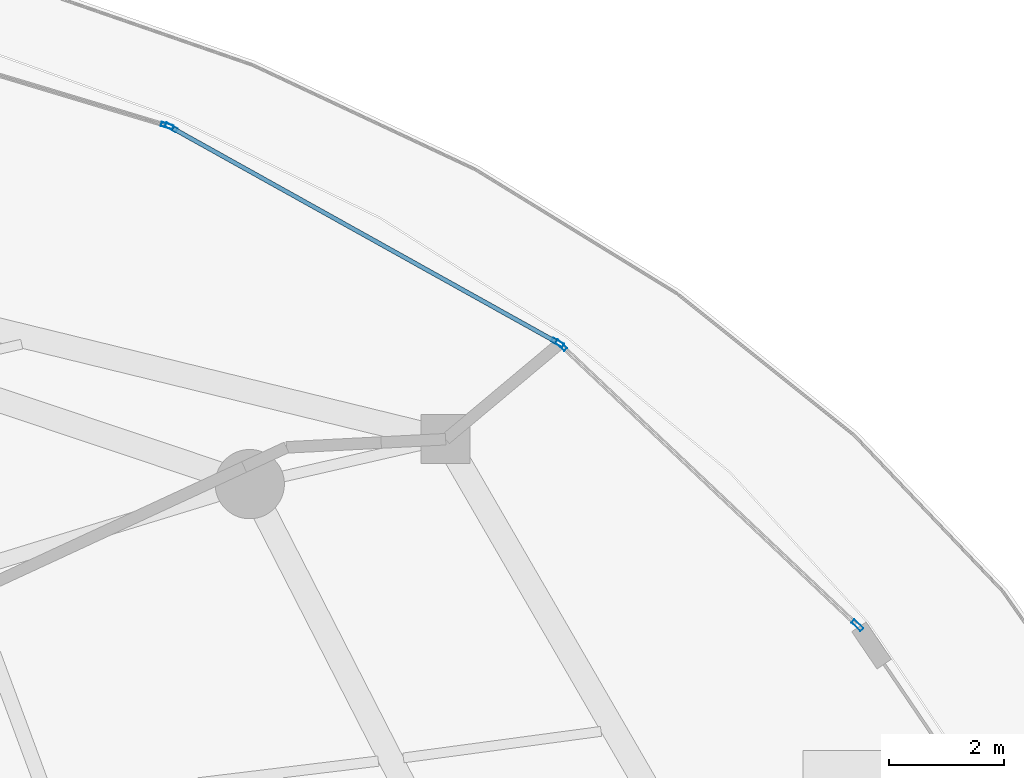
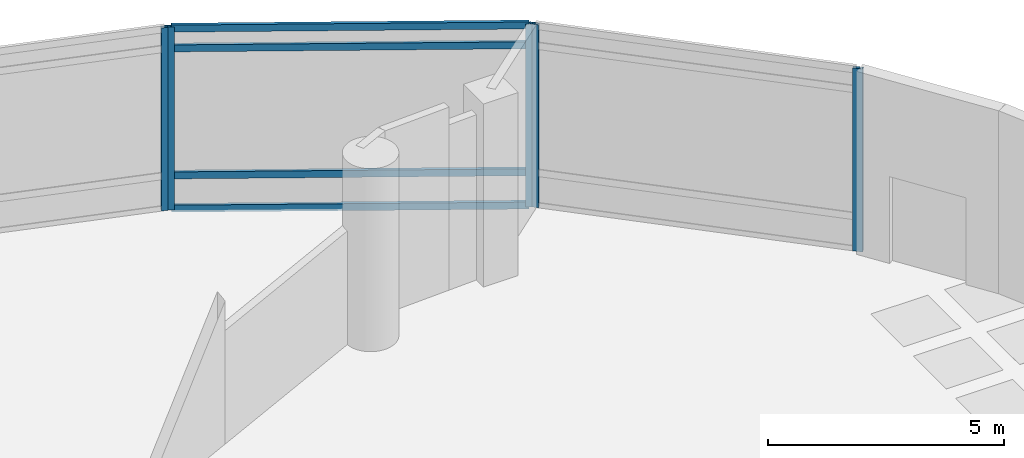
# One storey, part 21 of 34: 9 members, 3 elements without a shape of their own.
"""IFC4 building model written with IfcOpenShell, lengths in metres."""

from ifc_helpers import new_model, si_unit, direction, frame, origin, origin_2d, place, context, subcontext, project, spatial, hollow_rectangle, extrude, material, layer, layer_set, material_profile, profile_set, type_object, element, aggregate, save


model = new_model("IFC4")

# Units and contexts
model_context = context("Model", 3, precision=1e-05, world=origin(), true_north=direction((0.0, 1.0)))
body_context = subcontext(model_context, "Body", "Model", "MODEL_VIEW")
ifc_project = project(units=[si_unit("LENGTHUNIT", "METRE"), si_unit("AREAUNIT", "SQUARE_METRE"), si_unit("VOLUMEUNIT", "CUBIC_METRE"), si_unit("PLANEANGLEUNIT", "RADIAN"), si_unit("MASSUNIT", "GRAM", prefix="KILO")], contexts=[model_context])

# Site, building, storey
site_placement = place(None, origin())
site = spatial("IfcSite", under=ifc_project, at=site_placement, CompositionType="ELEMENT")
building_placement = place(site_placement, origin())
building = spatial("IfcBuilding", under=site, at=building_placement, Name="Nuhasar Tower", CompositionType="ELEMENT")
storey_placement = place(building_placement, frame((0.0, 0.0, 16.0)))
storey = spatial("IfcBuildingStorey", under=building, at=storey_placement, Name="L03", CompositionType="ELEMENT", Elevation=16.0)

# Curtain wall, members
ifc_material = material(Name="Aluminium 6063-T6", Category="aluminium")
ifc_layer = layer(ifc_material, 0.219970703125)
ifc_layer_set = layer_set([ifc_layer], Name="Aluminium 6063-T6")
curtain_wall_type = type_object("IfcCurtainWallType", Name="CW-PODIUM", PredefinedType="NOTDEFINED", material=ifc_layer_set)
curtain_wall_1_placement = place(storey_placement, origin())
curtain_wall_1 = element("IfcCurtainWall", 1, at=curtain_wall_1_placement, inside=storey, type_object=curtain_wall_type, Name="L03 Podium Curtain Wall Bay 03", PredefinedType="NOTDEFINED")
ifc_material_profile_1 = material_profile(ifc_material, hollow_rectangle(XDim=0.074951171875, YDim=0.219970703125, WallThickness=0.0048828125, at=origin_2d()), Name="CWM-1")
ifc_profile_set_1 = profile_set([ifc_material_profile_1], Name="Aluminium 6063-T6")
member_type_1 = type_object("IfcMemberType", Name="CW-MUL-S1", PredefinedType="MULLION", material=ifc_profile_set_1)
member_1_placement = place(storey_placement, frame((67.23974609375, 38.670654296875, 0.0), z_axis=(0.0, 0.0, 1.0), x_axis=(-0.687153902439, -0.726511881777, 0.0)))
member_1 = element("IfcMember", 2, at=member_1_placement, type_object=member_type_1, Name="CW-P1 mullion 1", PredefinedType="MULLION", context=body_context, shape_type="SweptSolid", body=[
    extrude(hollow_rectangle(XDim=0.074951171875, YDim=0.219970703125, WallThickness=0.0048828125, at=origin_2d()), origin(), (0.0, 0.0, 1.0), 4.739990234375),
])
member_2_placement = place(storey_placement, frame((62.107177734375, 43.525146484375, 0.0), z_axis=(0.0, 0.0, 1.0), x_axis=(-0.687153902439, -0.726511881777, 0.0)))
member_2 = element("IfcMember", 3, at=member_2_placement, type_object=member_type_1, Name="CW-P1 mullion 2", PredefinedType="MULLION", context=body_context, shape_type="SweptSolid", body=[
    extrude(hollow_rectangle(XDim=0.074951171875, YDim=0.219970703125, WallThickness=0.0048828125, at=origin_2d()), origin(), (0.0, 0.0, 1.0), 4.739990234375),
])
aggregate(curtain_wall_1, [member_1, member_2])

curtain_wall_2_placement = place(storey_placement, origin())
curtain_wall_2 = element("IfcCurtainWall", 4, at=curtain_wall_2_placement, inside=storey, type_object=curtain_wall_type, Name="L03 Podium Curtain Wall Bay 04", PredefinedType="NOTDEFINED")
member_3_placement = place(storey_placement, frame((62.047119140625, 43.5693359375, 0.0), z_axis=(0.0, 0.0, 1.0), x_axis=(-0.486575351992, -0.873638613406, 0.0)))
member_3 = element("IfcMember", 5, at=member_3_placement, type_object=member_type_1, Name="CW-P1 mullion 1", PredefinedType="MULLION", context=body_context, shape_type="SweptSolid", body=[
    extrude(hollow_rectangle(XDim=0.074951171875, YDim=0.219970703125, WallThickness=0.0048828125, at=origin_2d()), origin(), (0.0, 0.0, 1.0), 4.739990234375),
])
member_4_placement = place(storey_placement, frame((55.352783203125, 47.2978515625, 0.0), z_axis=(0.0, 0.0, 1.0), x_axis=(-0.486575351992, -0.873638613406, 0.0)))
member_4 = element("IfcMember", 6, at=member_4_placement, type_object=member_type_1, Name="CW-P1 mullion 2", PredefinedType="MULLION", context=body_context, shape_type="SweptSolid", body=[
    extrude(hollow_rectangle(XDim=0.074951171875, YDim=0.219970703125, WallThickness=0.0048828125, at=origin_2d()), origin(), (0.0, 0.0, 1.0), 4.739990234375),
])

# Curtain wall, member
curtain_wall_3_placement = place(storey_placement, origin())
curtain_wall_3 = element("IfcCurtainWall", 7, at=curtain_wall_3_placement, inside=storey, type_object=curtain_wall_type, Name="L03 Podium Curtain Wall Bay 05", PredefinedType="NOTDEFINED")
member_5_placement = place(storey_placement, frame((55.2841796875, 47.326904296875, 0.0), z_axis=(0.0, 0.0, 1.0), x_axis=(-0.287950508783, -0.957645291583, 0.0)))
member_5 = element("IfcMember", 8, at=member_5_placement, type_object=member_type_1, Name="CW-P1 mullion 1", PredefinedType="MULLION", context=body_context, shape_type="SweptSolid", body=[
    extrude(hollow_rectangle(XDim=0.074951171875, YDim=0.219970703125, WallThickness=0.0048828125, at=origin_2d()), origin(), (0.0, 0.0, 1.0), 4.739990234375),
])
aggregate(curtain_wall_3, [member_5])

# Member
ifc_material_profile_2 = material_profile(ifc_material, hollow_rectangle(XDim=0.074951171875, YDim=0.179931640625, WallThickness=0.00439453125, at=origin_2d()), Name="CWT-1")
ifc_profile_set_2 = profile_set([ifc_material_profile_2], Name="Aluminium 6063-T6")
member_type_2 = type_object("IfcMemberType", Name="CW-TRN-S1", PredefinedType="USERDEFINED", material=ifc_profile_set_2)
member_6_placement = place(storey_placement, frame((62.014404296875, 43.58740234375, 0.03759765625), z_axis=(-0.873630115398, 0.486590609722, 0.0), x_axis=(-0.486590609722, -0.873630115398, 0.0)))
member_6 = element("IfcMember", 9, at=member_6_placement, type_object=member_type_2, Name="CW-P1 transom 1.1", ObjectType="TRANSOM", PredefinedType="USERDEFINED", context=body_context, shape_type="SweptSolid", body=[
    extrude(hollow_rectangle(XDim=0.074951171875, YDim=0.179931640625, WallThickness=0.00439453125, at=origin_2d()), origin(), (0.0, 0.0, 1.0), 7.587890625),
])

member_7_placement = place(storey_placement, frame((62.014404296875, 43.58740234375, 0.89990234375), z_axis=(-0.873630115398, 0.486590609722, 0.0), x_axis=(-0.486590609722, -0.873630115398, 0.0)))
member_7 = element("IfcMember", 10, at=member_7_placement, type_object=member_type_2, Name="CW-P1 transom 1.2", ObjectType="TRANSOM", PredefinedType="USERDEFINED", context=body_context, shape_type="SweptSolid", body=[
    extrude(hollow_rectangle(XDim=0.074951171875, YDim=0.179931640625, WallThickness=0.00439453125, at=origin_2d()), origin(), (0.0, 0.0, 1.0), 7.587890625),
])

member_8_placement = place(storey_placement, frame((62.014404296875, 43.58740234375, 4.18994140625), z_axis=(-0.873630115398, 0.486590609722, 0.0), x_axis=(-0.486590609722, -0.873630115398, 0.0)))
member_8 = element("IfcMember", 11, at=member_8_placement, type_object=member_type_2, Name="CW-P1 transom 1.3", ObjectType="TRANSOM", PredefinedType="USERDEFINED", context=body_context, shape_type="SweptSolid", body=[
    extrude(hollow_rectangle(XDim=0.074951171875, YDim=0.179931640625, WallThickness=0.00439453125, at=origin_2d()), origin(), (0.0, 0.0, 1.0), 7.587890625),
])

member_9_placement = place(storey_placement, frame((62.014404296875, 43.58740234375, 4.702392578125), z_axis=(-0.873630115398, 0.486590609722, 0.0), x_axis=(-0.486590609722, -0.873630115398, 0.0)))
member_9 = element("IfcMember", 12, at=member_9_placement, type_object=member_type_2, Name="CW-P1 transom 1.4", ObjectType="TRANSOM", PredefinedType="USERDEFINED", context=body_context, shape_type="SweptSolid", body=[
    extrude(hollow_rectangle(XDim=0.074951171875, YDim=0.179931640625, WallThickness=0.00439453125, at=origin_2d()), origin(), (0.0, 0.0, 1.0), 7.587890625),
])

aggregate(curtain_wall_2, [member_3, member_4, member_6, member_7, member_8, member_9])

save(model, "model.ifc")
